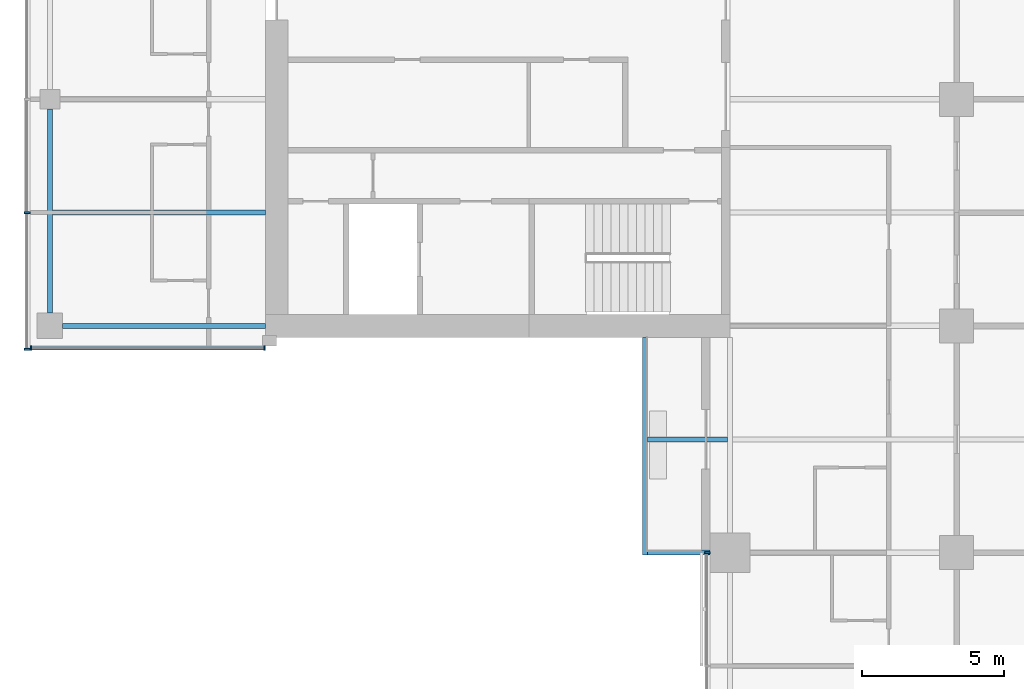
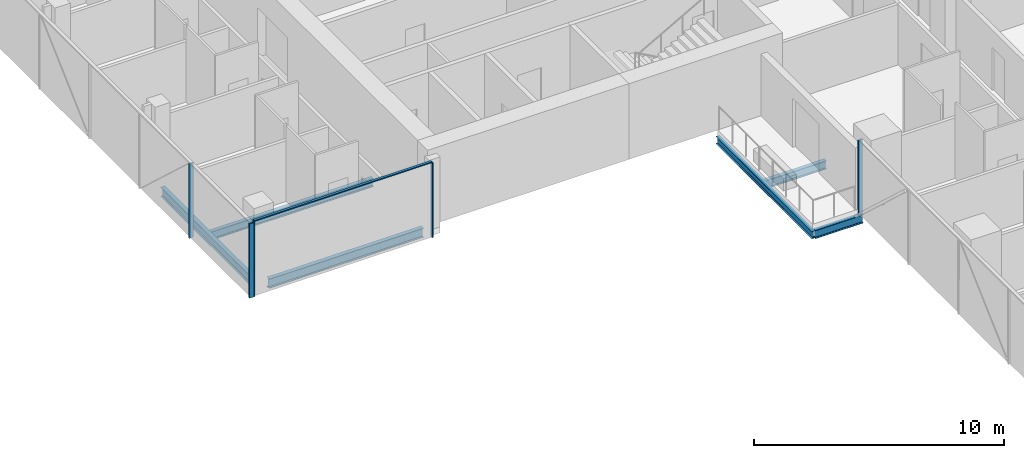
# One storey, part 3 of 29: 6 beams, 6 members, 3 elements without a shape of their own.
"""IFC4 building model written with IfcOpenShell, lengths in metres."""

import ifcopenshell
import ifcopenshell.guid

model = None  # the IFC model being written
_history = None  # IfcOwnerHistory: only IFC2X3 demands one
_inside = {}  # id of a spatial element -> (the spatial element, [elements in it])
_under = {}  # id of a project, library or spatial element -> (it, [spatial elements below it])
_declared = {}  # id of a project -> (the project, [libraries it declares])
_typed = {}  # id of a type object -> (the type object, [elements of that type])
_made_of = {}  # id of a material, layer set ... -> (it, [elements and type objects made of it])


def new_model(schema):
    """Start an empty IFC model of exactly this schema.

    Asked for "IFC4X3", IfcOpenShell would pick the latest addendum, in which some entities
    have other attributes; the version numbers below select the first issue.
    IFC2X3 requires an IfcOwnerHistory on every rooted entity: one is made here for all.
    """
    global model, _history
    if schema == "IFC4X3":
        model = ifcopenshell.file(schema_version=(4, 3, 0, 0))
    else:
        model = ifcopenshell.file(schema=schema)
    _inside.clear()
    _under.clear()
    _declared.clear()
    _typed.clear()
    _made_of.clear()
    _history = None
    if model.schema == "IFC2X3":
        org = make("IfcOrganization", Name="unknown")
        user = make(
            "IfcPersonAndOrganization",
            ThePerson=make("IfcPerson", FamilyName="unknown"),
            TheOrganization=org,
        )
        app = make(
            "IfcApplication",
            ApplicationDeveloper=org,
            Version="unknown",
            ApplicationFullName="unknown",
            ApplicationIdentifier="unknown",
        )
        _history = make(
            "IfcOwnerHistory",
            OwningUser=user,
            OwningApplication=app,
            ChangeAction="ADDED",
            CreationDate=0,
        )
    return model


def make(cls, **values):
    """One entity of the class cls with the attributes given. An attribute that is None is left unset."""
    return model.create_entity(
        cls, **{name: value for name, value in values.items() if value is not None}
    )


def rooted(cls, **values):
    """An entity with a GlobalId (a new one), such as an element, a storey or a relation."""
    return make(cls, GlobalId=ifcopenshell.guid.new(), OwnerHistory=_history, **values)


def si_unit(unit_type, name, prefix=None):
    """IfcSIUnit, for example si_unit("LENGTHUNIT", "METRE", prefix="MILLI")."""
    return make("IfcSIUnit", UnitType=unit_type, Prefix=prefix, Name=name)


def assignment(units):
    """IfcUnitAssignment: the units of a project."""
    return None if units is None else make("IfcUnitAssignment", Units=units)


def point(xyz):
    """IfcCartesianPoint."""
    return None if xyz is None else make("IfcCartesianPoint", Coordinates=xyz)


def direction(xyz):
    """IfcDirection."""
    return None if xyz is None else make("IfcDirection", DirectionRatios=xyz)


def frame(location, z_axis=None, x_axis=None):
    """IfcAxis2Placement3D, a coordinate frame: its origin and axes. An axis left out is left unset."""
    return make(
        "IfcAxis2Placement3D",
        Location=point(location),
        Axis=direction(z_axis),
        RefDirection=direction(x_axis),
    )


def frame_2d(location, x_axis=None):
    """IfcAxis2Placement2D, a coordinate frame in the plane: its origin and x axis."""
    return make(
        "IfcAxis2Placement2D", Location=point(location), RefDirection=direction(x_axis)
    )


def origin():
    """The frame at (0, 0, 0) with its axes left unset."""
    return frame((0.0, 0.0, 0.0))


def origin_2d():
    """The frame at (0, 0) in the plane with its x axis left unset."""
    return frame_2d((0.0, 0.0))


def place(relative_to, where):
    """IfcLocalPlacement: puts the frame where relative to a parent placement (None: the world)."""
    return make(
        "IfcLocalPlacement", PlacementRelTo=relative_to, RelativePlacement=where
    )


def context(
    kind, dimensions, precision=None, world=None, true_north=None, identifier=None
):
    """IfcGeometricRepresentationContext, for example the 3D "Model" context."""
    return make(
        "IfcGeometricRepresentationContext",
        ContextIdentifier=identifier,
        ContextType=kind,
        CoordinateSpaceDimension=dimensions,
        Precision=precision,
        WorldCoordinateSystem=world,
        TrueNorth=true_north,
    )


def subcontext(parent, identifier, kind, view, scale=None):
    """IfcGeometricRepresentationSubContext, for example "Body" below "Model"."""
    return make(
        "IfcGeometricRepresentationSubContext",
        ContextIdentifier=identifier,
        ContextType=kind,
        ParentContext=parent,
        TargetScale=scale,
        TargetView=view,
    )


def project(units=None, contexts=None):
    """IfcProject with its units and contexts."""
    return rooted(
        "IfcProject",
        Name="project",
        RepresentationContexts=contexts,
        UnitsInContext=assignment(units),
    )


def spatial(cls, under=None, at=None, **own):
    """A site, building, storey or space (cls), placed at a placement, below another one or the project."""
    s = rooted(cls, ObjectPlacement=at, **own)
    if under is not None:
        _under.setdefault(under.id(), (under, []))[1].append(s)
    return s


def profile(cls, at=None, kind="AREA", **sizes):
    """A parametric profile (cls). Its sizes go by their IFC names, for example OverallWidth=200.0."""
    return make(cls, ProfileType=kind, Position=at, **sizes)


def rectangle(**sizes):
    """IfcRectangleProfileDef."""
    return profile("IfcRectangleProfileDef", **sizes)


def i_section(**sizes):
    """IfcIShapeProfileDef."""
    return profile("IfcIShapeProfileDef", **sizes)


def extrude(swept, where, along, depth):
    """IfcExtrudedAreaSolid: the profile swept, set in the frame where, extruded along a direction by depth."""
    return make(
        "IfcExtrudedAreaSolid",
        SweptArea=swept,
        Position=where,
        ExtrudedDirection=direction(along),
        Depth=depth,
    )


def shape(context_of_items, identifier, shape_type, items):
    """IfcShapeRepresentation: the items that make up one representation, for example the "Body"."""
    return make(
        "IfcShapeRepresentation",
        ContextOfItems=context_of_items,
        RepresentationIdentifier=identifier,
        RepresentationType=shape_type,
        Items=items,
    )


def material(Name=None, Category=None):
    """IfcMaterial."""
    return make("IfcMaterial", Name=Name, Category=Category)


def material_profile(
    of_material, cross_section, Name=None, Category=None, Priority=None
):
    """IfcMaterialProfile: a cross section and its material."""
    return make(
        "IfcMaterialProfile",
        Name=Name,
        Material=of_material,
        Profile=cross_section,
        Priority=Priority,
        Category=Category,
    )


def profile_set(profiles, Name=None, composite=None):
    """IfcMaterialProfileSet."""
    return make(
        "IfcMaterialProfileSet",
        Name=Name,
        MaterialProfiles=profiles,
        CompositeProfile=composite,
    )


def made_of(thing, what):
    """Note that an element or type object is made of a material, layer set ...; save() writes the relation."""
    if what is not None:
        _made_of.setdefault(what.id(), (what, []))[1].append(thing)
    return thing


def type_object(cls, material=None, **own):
    """A type object (cls), such as IfcWallType, which elements share."""
    return made_of(rooted(cls, **own), material)


def element(
    cls,
    number,
    at=None,
    inside=None,
    cuts=None,
    type_object=None,
    material=None,
    context=None,
    identifier="Body",
    shape_type=None,
    held_by="IfcProductDefinitionShape",
    body=None,
    shapes=None,
    **own,
):
    """One element of the class cls, such as IfcWall. Its Tag is "e" and its number.

    at: its placement. inside: the storey or other place that contains it. cuts: it is an
    opening in that element (IfcRelVoidsElement). A single representation is given by context,
    identifier, shape_type and body (its items); several are given by shapes. held_by: the class
    of the entity that holds the representations. save() writes the other relations.
    """
    e = rooted(cls, Tag="e%d" % number, ObjectPlacement=at, **own)
    if body is not None:
        shapes = [shape(context, identifier, shape_type, body)]
    if shapes is not None:
        e.Representation = make(held_by, Representations=shapes)
    if inside is not None:
        _inside.setdefault(inside.id(), (inside, []))[1].append(e)
    if cuts is not None:
        rooted(
            "IfcRelVoidsElement", RelatingBuildingElement=cuts, RelatedOpeningElement=e
        )
    if type_object is not None:
        _typed.setdefault(type_object.id(), (type_object, []))[1].append(e)
    return made_of(e, material)


def aggregate(whole, parts):
    """IfcRelAggregates: a whole, such as a stair, and the parts it consists of."""
    return rooted("IfcRelAggregates", RelatingObject=whole, RelatedObjects=parts)


def save(model, path):
    """Write the relations noted so far, then the file.

    IfcRelAggregates (storeys below a building ...), IfcRelContainedInSpatialStructure (elements
    in a storey), IfcRelDefinesByType, IfcRelAssociatesMaterial and IfcRelDeclares: one each for
    every whole, place, type object, material and project.
    """
    for whole, parts in _under.values():
        aggregate(whole, parts)
    for where, things in _inside.values():
        rooted(
            "IfcRelContainedInSpatialStructure",
            RelatedElements=things,
            RelatingStructure=where,
        )
    for kind, things in _typed.values():
        rooted("IfcRelDefinesByType", RelatedObjects=things, RelatingType=kind)
    for what, things in _made_of.values():
        rooted("IfcRelAssociatesMaterial", RelatedObjects=things, RelatingMaterial=what)
    for by, libraries in _declared.values():
        rooted("IfcRelDeclares", RelatingContext=by, RelatedDefinitions=libraries)
    model.write(path)


model = new_model("IFC4")

# Units and contexts
model_context = context("Model", 3, precision=1e-05, world=origin(), true_north=direction((0.0, 1.0)))
body_context = subcontext(model_context, "Body", "Model", "MODEL_VIEW")
ifc_project = project(units=[si_unit("LENGTHUNIT", "METRE"), si_unit("AREAUNIT", "SQUARE_METRE"), si_unit("VOLUMEUNIT", "CUBIC_METRE"), si_unit("PLANEANGLEUNIT", "RADIAN"), si_unit("MASSUNIT", "GRAM", prefix="KILO")], contexts=[model_context])

# Site, building, storey
site_placement = place(None, origin())
site = spatial("IfcSite", under=ifc_project, at=site_placement, CompositionType="ELEMENT")
building_placement = place(site_placement, origin())
building = spatial("IfcBuilding", under=site, at=building_placement, Name="Crosswind Convention Tower", CompositionType="ELEMENT")
storey_placement = place(building_placement, frame((0.0, 0.0, 60.89990234375)))
storey = spatial("IfcBuildingStorey", under=building, at=storey_placement, Name="L09", CompositionType="ELEMENT", Elevation=60.89990234375)

# Beams
ifc_material_1 = material(Name="Steel S355", Category="steel")
ifc_material_profile_1 = material_profile(ifc_material_1, i_section(OverallWidth=0.177734375, OverallDepth=0.406494140625, WebThickness=0.0078125, FlangeThickness=0.0126953125, FilletRadius=0.01025390625, at=origin_2d()), Name="UB 406x178x60")
ifc_profile_set_1 = profile_set([ifc_material_profile_1], Name="Steel S355")
beam_type_1 = type_object("IfcBeamType", Name="Balcony cantilever UB 406x178x60", PredefinedType="BEAM", material=ifc_profile_set_1)
beam_1_placement = place(storey_placement, frame((112.90478515625, 84.0, -0.483154296875), z_axis=(-1.0, 0.0, 0.0), x_axis=(0.0, -1.0, 0.0)))
element("IfcBeam", 1, at=beam_1_placement, inside=storey, type_object=beam_type_1, Name="B35 L09 balcony cantilever SW 7", PredefinedType="BEAM", context=body_context, shape_type="SweptSolid", body=[
    extrude(i_section(OverallWidth=0.177734375, OverallDepth=0.406494140625, WebThickness=0.0078125, FlangeThickness=0.0126953125, FilletRadius=0.01025390625, at=origin_2d()), origin(), (0.0, 0.0, 1.0), 2.8193359375),
])
beam_2_placement = place(storey_placement, frame((112.300048828125, 80.0, -0.483154296875), z_axis=(-1.0, 0.0, 0.0), x_axis=(0.0, -1.0, 0.0)))
element("IfcBeam", 2, at=beam_2_placement, inside=storey, type_object=beam_type_1, Name="B35 L09 balcony cantilever SW 8", PredefinedType="BEAM", context=body_context, shape_type="SweptSolid", body=[
    extrude(i_section(OverallWidth=0.177734375, OverallDepth=0.406494140625, WebThickness=0.0078125, FlangeThickness=0.0126953125, FilletRadius=0.01025390625, at=origin_2d()), origin(), (0.0, 0.0, 1.0), 2.214599609375),
])
ifc_material_profile_2 = material_profile(ifc_material_1, i_section(OverallWidth=0.1708984375, OverallDepth=0.35205078125, WebThickness=0.0068359375, FlangeThickness=0.009765625, FilletRadius=0.01025390625, at=origin_2d()), Name="UB 356x171x45")
ifc_profile_set_2 = profile_set([ifc_material_profile_2], Name="Steel S355")
beam_type_2 = type_object("IfcBeamType", Name="Balcony edge beam UB 356x171x45", PredefinedType="BEAM", material=ifc_profile_set_2)
beam_3_placement = place(storey_placement, frame((110.0, 87.60009765625, -0.455810546875), z_axis=(0.0, -1.0, 0.0), x_axis=(1.0, 0.0, 0.0)))
element("IfcBeam", 3, at=beam_3_placement, inside=storey, type_object=beam_type_2, Name="B37 L09 balcony edge beam SW 9", PredefinedType="BEAM", context=body_context, shape_type="SweptSolid", body=[
    extrude(i_section(OverallWidth=0.1708984375, OverallDepth=0.35205078125, WebThickness=0.0068359375, FlangeThickness=0.009765625, FilletRadius=0.01025390625, at=origin_2d()), origin(), (0.0, 0.0, 1.0), 7.68896484375),
])
ifc_material_profile_3 = material_profile(ifc_material_1, i_section(OverallWidth=0.1904296875, OverallDepth=0.457275390625, WebThickness=0.009033203125, FlangeThickness=0.014404296875, FilletRadius=0.01025390625, at=origin_2d()), Name="UB 457x191x75")
ifc_profile_set_3 = profile_set([ifc_material_profile_3], Name="Steel S355")
beam_type_3 = type_object("IfcBeamType", Name="Edge beam UB 457x191x75", PredefinedType="SPANDREL", material=ifc_profile_set_3)
beam_4_placement = place(storey_placement, frame((89.0, 88.449951171875, -0.508544921875), z_axis=(0.0, 1.0, 0.0), x_axis=(-1.0, 0.0, 0.0)))
element("IfcBeam", 4, at=beam_4_placement, inside=storey, type_object=beam_type_3, Name="B17 L09 edge beam 1", PredefinedType="SPANDREL", context=body_context, shape_type="SweptSolid", body=[
    extrude(i_section(OverallWidth=0.1904296875, OverallDepth=0.457275390625, WebThickness=0.009033203125, FlangeThickness=0.014404296875, FilletRadius=0.01025390625, at=origin_2d()), origin(), (0.0, 0.0, 1.0), 7.199951171875),
])
beam_5_placement = place(storey_placement, frame((89.449951171875, 88.0, -0.508544921875), z_axis=(1.0, 0.0, 0.0), x_axis=(0.0, 1.0, 0.0)))
element("IfcBeam", 5, at=beam_5_placement, inside=storey, type_object=beam_type_3, Name="B17 L09 edge beam 4", PredefinedType="SPANDREL", context=body_context, shape_type="SweptSolid", body=[
    extrude(i_section(OverallWidth=0.1904296875, OverallDepth=0.457275390625, WebThickness=0.009033203125, FlangeThickness=0.014404296875, FilletRadius=0.01025390625, at=origin_2d()), origin(), (0.0, 0.0, 1.0), 7.150146484375),
])

# Curtain wall, members
ifc_material_2 = material(Name="Aluminium unitised curtain wall", Category="aluminium")
curtain_wall_type_1 = type_object("IfcCurtainWallType", Name="CORE END SLOT WALL 160", PredefinedType="USERDEFINED", material=ifc_material_2)
curtain_wall_1_placement = place(storey_placement, origin())
curtain_wall_1 = element("IfcCurtainWall", 6, at=curtain_wall_1_placement, inside=storey, type_object=curtain_wall_type_1, Name="CW6 L09 W-S.1-1 slot", ObjectType="UNITISED", PredefinedType="USERDEFINED")
ifc_material_3 = material(Name="Aluminium mullion", Category="aluminium")
ifc_material_profile_4 = material_profile(ifc_material_3, rectangle(XDim=0.159912109375, YDim=0.050048828125, at=origin_2d()), Name="AL 160X50")
ifc_profile_set_4 = profile_set([ifc_material_profile_4], Name="Aluminium mullion")
member_type_1 = type_object("IfcMemberType", Name="MULLION 50X160", PredefinedType="MULLION", material=ifc_profile_set_4)
member_1_placement = place(storey_placement, frame((88.324951171875, 87.219970703125, -0.27978515625), z_axis=(0.0, 0.0, 1.0), x_axis=(0.0, -1.0, 0.0)))
member_1 = element("IfcMember", 7, at=member_1_placement, type_object=member_type_1, Name="CW6 mullion 1", PredefinedType="MULLION", context=body_context, shape_type="SweptSolid", body=[
    extrude(rectangle(XDim=0.159912109375, YDim=0.050048828125, at=origin_2d()), origin(), (0.0, 0.0, 1.0), 3.64990234375),
])
member_2_placement = place(storey_placement, frame((96.574951171875, 87.219970703125, -0.27978515625), z_axis=(0.0, 0.0, 1.0), x_axis=(0.0, -1.0, 0.0)))
member_2 = element("IfcMember", 8, at=member_2_placement, type_object=member_type_1, Name="CW6 mullion 2", PredefinedType="MULLION", context=body_context, shape_type="SweptSolid", body=[
    extrude(rectangle(XDim=0.159912109375, YDim=0.050048828125, at=origin_2d()), origin(), (0.0, 0.0, 1.0), 3.64990234375),
])

curtain_wall_type_2 = type_object("IfcCurtainWallType", Name="HOTEL UNITISED WALL 200", PredefinedType="USERDEFINED", material=ifc_material_2)
curtain_wall_2_placement = place(storey_placement, origin())
curtain_wall_2 = element("IfcCurtainWall", 9, at=curtain_wall_2_placement, inside=storey, type_object=curtain_wall_type_2, Name="CW2 L09 W-TIP 1", ObjectType="UNITISED", PredefinedType="USERDEFINED")
ifc_material_profile_5 = material_profile(ifc_material_3, rectangle(XDim=0.199951171875, YDim=0.06494140625, at=origin_2d()), Name="AL 200X65")
ifc_profile_set_5 = profile_set([ifc_material_profile_5], Name="Aluminium mullion")
member_type_2 = type_object("IfcMemberType", Name="MULLION 65X200", PredefinedType="MULLION", material=ifc_profile_set_5)
member_3_placement = place(storey_placement, frame((88.199951171875, 92.0, -0.27978515625), z_axis=(0.0, 0.0, 1.0), x_axis=(-1.0, 0.0, 0.0)))
member_3 = element("IfcMember", 10, at=member_3_placement, type_object=member_type_2, Name="CW2 mullion 6", PredefinedType="MULLION", context=body_context, shape_type="SweptSolid", body=[
    extrude(rectangle(XDim=0.199951171875, YDim=0.06494140625, at=origin_2d()), origin(), (0.0, 0.0, 1.0), 3.634765625),
])
member_4_placement = place(storey_placement, frame((88.199951171875, 87.172607421875, -0.27978515625), z_axis=(0.0, 0.0, 1.0), x_axis=(-1.0, 0.0, 0.0)))
member_4 = element("IfcMember", 11, at=member_4_placement, type_object=member_type_2, Name="CW2 mullion 7", PredefinedType="MULLION", context=body_context, shape_type="SweptSolid", body=[
    extrude(rectangle(XDim=0.199951171875, YDim=0.06494140625, at=origin_2d()), origin(), (0.0, 0.0, 1.0), 3.634765625),
])
aggregate(curtain_wall_2, [member_3, member_4])

# Curtain wall, member
curtain_wall_3_placement = place(storey_placement, origin())
curtain_wall_3 = element("IfcCurtainWall", 12, at=curtain_wall_3_placement, inside=storey, type_object=curtain_wall_type_2, Name="CW2 L09 S-W 1", ObjectType="UNITISED", PredefinedType="USERDEFINED")
member_5_placement = place(storey_placement, frame((112.199951171875, 80.0, -0.27978515625), z_axis=(0.0, 0.0, 1.0), x_axis=(-1.0, 0.0, 0.0)))
member_5 = element("IfcMember", 13, at=member_5_placement, type_object=member_type_2, Name="CW2 mullion 1", PredefinedType="MULLION", context=body_context, shape_type="SweptSolid", body=[
    extrude(rectangle(XDim=0.199951171875, YDim=0.06494140625, at=origin_2d()), origin(), (0.0, 0.0, 1.0), 3.634765625),
])
aggregate(curtain_wall_3, [member_5])

# Beam
ifc_material_profile_6 = material_profile(ifc_material_1, i_section(OverallWidth=0.177734375, OverallDepth=0.406494140625, WebThickness=0.0078125, FlangeThickness=0.0126953125, FilletRadius=0.01025390625, at=origin_2d()), Name="UB 406x178x60")
ifc_profile_set_6 = profile_set([ifc_material_profile_6], Name="Steel S355")
beam_type_4 = type_object("IfcBeamType", Name="Secondary beam UB 406x178x60", PredefinedType="JOIST", material=ifc_profile_set_6)
beam_6_placement = place(storey_placement, frame((89.09521484375, 92.0, -0.483154296875), z_axis=(1.0, 0.0, 0.0), x_axis=(0.0, 1.0, 0.0)))
element("IfcBeam", 14, at=beam_6_placement, inside=storey, type_object=beam_type_4, Name="B10 L09 secondary beam 1", PredefinedType="JOIST", context=body_context, shape_type="SweptSolid", body=[
    extrude(i_section(OverallWidth=0.177734375, OverallDepth=0.406494140625, WebThickness=0.0078125, FlangeThickness=0.0126953125, FilletRadius=0.01025390625, at=origin_2d()), origin(), (0.0, 0.0, 1.0), 7.5048828125),
])

# Member
ifc_material_4 = material(Name="Aluminium transom", Category="aluminium")
ifc_material_profile_7 = material_profile(ifc_material_4, rectangle(XDim=0.1201171875, YDim=0.050048828125, at=origin_2d()), Name="AL 120X50")
ifc_profile_set_7 = profile_set([ifc_material_profile_7], Name="Aluminium transom")
member_type_3 = type_object("IfcMemberType", Name="TRANSOM 50X120", PredefinedType="USERDEFINED", material=ifc_profile_set_7)
member_6_placement = place(storey_placement, frame((88.35009765625, 87.219970703125, 3.39501953125), z_axis=(1.0, 0.0, 0.0), x_axis=(0.0, 1.0, 0.0)))
member_6 = element("IfcMember", 15, at=member_6_placement, type_object=member_type_3, Name="CW6 transom", ObjectType="TRANSOM", PredefinedType="USERDEFINED", context=body_context, shape_type="SweptSolid", body=[
    extrude(rectangle(XDim=0.1201171875, YDim=0.050048828125, at=origin_2d()), origin(), (0.0, 0.0, 1.0), 8.199951171875),
])

aggregate(curtain_wall_1, [member_1, member_2, member_6])

save(model, "model.ifc")
